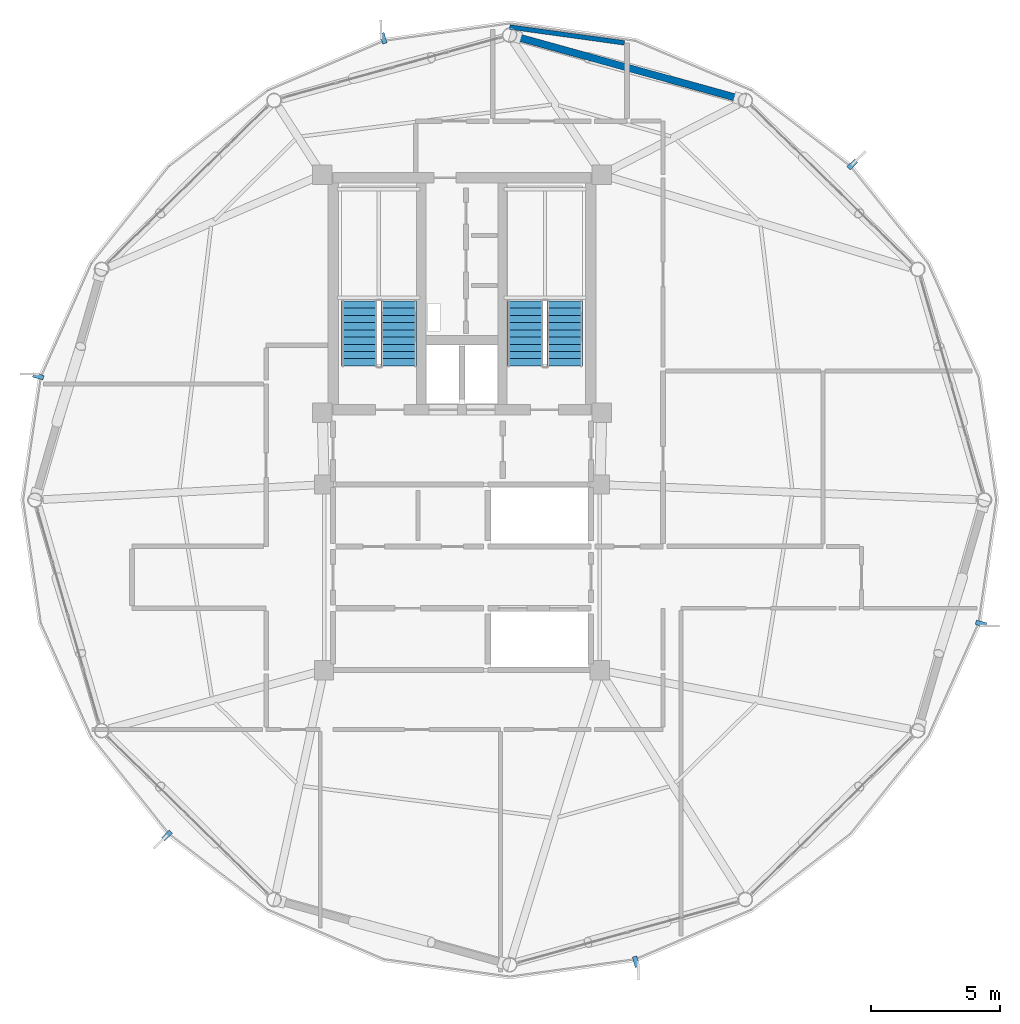
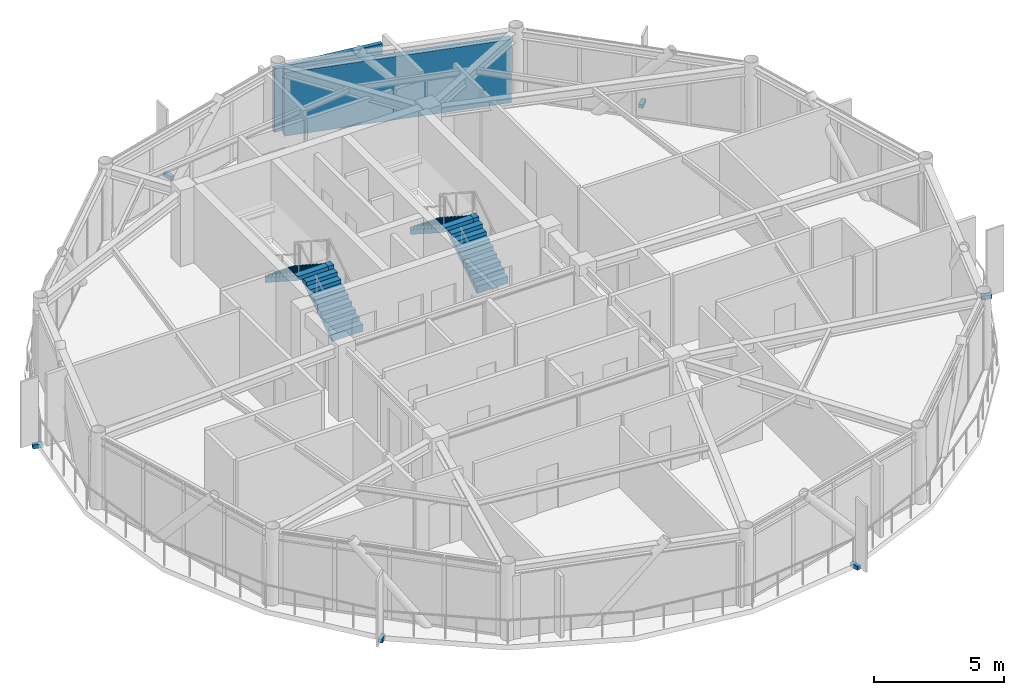
# One storey, part 22 of 25: 6 discrete accessories, 4 stair flights, 2 walls, 2 elements without a shape of their own.
"""IFC4 building model written with IfcOpenShell, lengths in metres."""

from ifc_helpers import new_model, si_unit, direction, frame, frame_2d, origin, origin_2d, place, context, subcontext, project, spatial, polyline, rectangle, outline, extrude, source, transform, mapped, material, layer, layer_set, type_object, type_shapes, element, aggregate, save


model = new_model("IFC4")

# Units and contexts
model_context = context("Model", 3, precision=1e-05, world=origin(), true_north=direction((0.0, 1.0)))
body_context = subcontext(model_context, "Body", "Model", "MODEL_VIEW")
ifc_project = project(units=[si_unit("LENGTHUNIT", "METRE"), si_unit("AREAUNIT", "SQUARE_METRE"), si_unit("VOLUMEUNIT", "CUBIC_METRE"), si_unit("PLANEANGLEUNIT", "RADIAN"), si_unit("MASSUNIT", "GRAM", prefix="KILO")], contexts=[model_context])

# Site, building, storey
site_placement = place(None, origin())
site = spatial("IfcSite", under=ifc_project, at=site_placement, CompositionType="ELEMENT")
building_placement = place(site_placement, origin())
building = spatial("IfcBuilding", under=site, at=building_placement, Name="Varnakorn Sky Granary", CompositionType="ELEMENT")
storey_placement = place(building_placement, frame((0.0, 0.0, 252.60009765625)))
storey = spatial("IfcBuildingStorey", under=building, at=storey_placement, Name="L64", CompositionType="ELEMENT", Elevation=252.60009765625)

# Walls
ifc_material_1 = material(Name="Precast concrete C40/50", Category="concrete")
ifc_layer_1 = layer(ifc_material_1, 0.280029296875, Name="Precast concrete C40/50")
ifc_layer_set_1 = layer_set([ifc_layer_1], Name="Precast concrete C40/50")
wall_type_1 = type_object("IfcWallType", Name="WT-EW-CRN-280", PredefinedType="SOLIDWALL", material=ifc_layer_set_1)
wall_1_placement = place(storey_placement, frame((5.075927734375, 17.976318359375, 0.0), z_axis=(0.0, 0.0, 1.0), x_axis=(0.963705710246, -0.266966859442, 0.0)))
element("IfcWall", 1, at=wall_1_placement, inside=storey, type_object=wall_type_1, Name="Agritech Insulated Precast Facade Wall L64-P03", PredefinedType="SOLIDWALL", context=body_context, shape_type="SweptSolid", body=[
    extrude(rectangle(XDim=9.021484375, YDim=0.280029296875, at=frame_2d((4.5107421875, 0.0))), origin(), (0.0, 0.0, 1.0), 2.969970703125),
])
ifc_material_2 = material(Name="Moisture-Resistant Gypsum on Stud", Category="gypsum")
ifc_layer_2 = layer(ifc_material_2, 0.179931640625, Name="Moisture-Resistant Gypsum on Stud")
ifc_layer_set_2 = layer_set([ifc_layer_2], Name="Moisture-Resistant Gypsum on Stud")
wall_type_2 = type_object("IfcWallType", Name="WT-PLUMB-180", PredefinedType="PLUMBINGWALL", material=ifc_layer_set_2)
wall_2_placement = place(storey_placement, frame((9.301025390625, 17.73388671875, 0.0), z_axis=(0.0, 0.0, 1.0), x_axis=(-0.99058152524, 0.136924219385, 0.0)))
element("IfcWall", 2, at=wall_2_placement, inside=storey, type_object=wall_type_2, Name="Interior Partition Wall L64-064", PredefinedType="PLUMBINGWALL", context=body_context, shape_type="SweptSolid", body=[
    extrude(rectangle(XDim=4.4931640625, YDim=0.179931640625, at=frame_2d((2.24658203125, 0.0))), origin(), (0.0, 0.0, 1.0), 2.98193359375),
])

# Stair, stair flights
ifc_material_3 = material(Name="Concrete C40/50", Category="concrete")
stair_type = type_object("IfcStairType", Name="ST-MAIN-ASSEMBLY", PredefinedType="HALF_TURN_STAIR", material=ifc_material_3)
stair_1_placement = place(storey_placement, origin())
stair_1 = element("IfcStair", 3, at=stair_1_placement, inside=storey, type_object=stair_type, Name="L64 Protected Exit Stair ST-1", PredefinedType="HALF_TURN_STAIR")
stair_flight_type = type_object("IfcStairFlightType", Name="ST-MAIN-FLIGHT", PredefinedType="STRAIGHT", material=ifc_material_3)
stair_flight_1_placement = place(storey_placement, frame((0.550048828125, 5.199951171875, 0.0), z_axis=(0.0, 0.0, 1.0), x_axis=(0.0, 1.0, 0.0)))
stair_flight_1 = element("IfcStairFlight", 4, at=stair_flight_1_placement, type_object=stair_flight_type, Name="ST-1 flight 1", NumberOfRisers=10, NumberOfTreads=9, PredefinedType="STRAIGHT", RiserHeight=0.18, TreadLength=0.28, context=body_context, shape_type="SweptSolid", body=[
    extrude(outline(polyline([(0.0, -0.14990234375), (0.0, 0.0), (0.0, 0.179931640625), (0.280029296875, 0.179931640625), (0.280029296875, 0.360107421875), (0.56005859375, 0.360107421875), (0.56005859375, 0.5400390625), (0.840087890625, 0.5400390625), (0.840087890625, 0.719970703125), (1.1201171875, 0.719970703125), (1.1201171875, 0.89990234375), (1.39990234375, 0.89990234375), (1.39990234375, 1.080078125), (1.679931640625, 1.080078125), (1.679931640625, 1.260009765625), (1.9599609375, 1.260009765625), (1.9599609375, 1.43994140625), (2.239990234375, 1.43994140625), (2.239990234375, 1.6201171875), (2.52001953125, 1.6201171875), (2.52001953125, 1.800048828125), (2.52001953125, 1.44189453125), (0.050048828125, -0.14990234375), (0.0, -0.14990234375)])), frame((0.0, 0.68994140625, 0.0), z_axis=(0.0, -1.0, 0.0), x_axis=(1.0, 0.0, 0.0)), (0.0, 0.0, 1.0), 1.3798828125),
])
stair_flight_2_placement = place(storey_placement, frame((-0.97998046875, 7.719970703125, 1.7998046875), z_axis=(0.0, 0.0, 1.0), x_axis=(0.0, -1.0, 0.0)))
stair_flight_2 = element("IfcStairFlight", 5, at=stair_flight_2_placement, type_object=stair_flight_type, Name="ST-1 flight 2", NumberOfRisers=10, NumberOfTreads=9, PredefinedType="STRAIGHT", RiserHeight=0.18, TreadLength=0.28, context=body_context, shape_type="SweptSolid", body=[
    extrude(outline(polyline([(0.0, -0.14990234375), (0.0, 0.0), (0.0, 0.179931640625), (0.280029296875, 0.179931640625), (0.280029296875, 0.360107421875), (0.56005859375, 0.360107421875), (0.56005859375, 0.5400390625), (0.840087890625, 0.5400390625), (0.840087890625, 0.719970703125), (1.1201171875, 0.719970703125), (1.1201171875, 0.89990234375), (1.39990234375, 0.89990234375), (1.39990234375, 1.080078125), (1.679931640625, 1.080078125), (1.679931640625, 1.260009765625), (1.9599609375, 1.260009765625), (1.9599609375, 1.43994140625), (2.239990234375, 1.43994140625), (2.239990234375, 1.6201171875), (2.52001953125, 1.6201171875), (2.52001953125, 1.800048828125), (2.52001953125, 1.44189453125), (0.050048828125, -0.14990234375), (0.0, -0.14990234375)])), frame((0.0, 0.68994140625, 0.0), z_axis=(0.0, -1.0, 0.0), x_axis=(1.0, 0.0, 0.0)), (0.0, 0.0, 1.0), 1.3798828125),
])
aggregate(stair_1, [stair_flight_1, stair_flight_2])

stair_2_placement = place(storey_placement, origin())
stair_2 = element("IfcStair", 6, at=stair_2_placement, inside=storey, type_object=stair_type, Name="L64 Protected Exit Stair ST-2", PredefinedType="HALF_TURN_STAIR")
stair_flight_3_placement = place(storey_placement, frame((6.989990234375, 5.199951171875, 0.0), z_axis=(0.0, 0.0, 1.0), x_axis=(0.0, 1.0, 0.0)))
stair_flight_3 = element("IfcStairFlight", 7, at=stair_flight_3_placement, type_object=stair_flight_type, Name="ST-2 flight 1", NumberOfRisers=10, NumberOfTreads=9, PredefinedType="STRAIGHT", RiserHeight=0.18, TreadLength=0.28, context=body_context, shape_type="SweptSolid", body=[
    extrude(outline(polyline([(0.0, -0.14990234375), (0.0, 0.0), (0.0, 0.179931640625), (0.280029296875, 0.179931640625), (0.280029296875, 0.360107421875), (0.56005859375, 0.360107421875), (0.56005859375, 0.5400390625), (0.840087890625, 0.5400390625), (0.840087890625, 0.719970703125), (1.1201171875, 0.719970703125), (1.1201171875, 0.89990234375), (1.39990234375, 0.89990234375), (1.39990234375, 1.080078125), (1.679931640625, 1.080078125), (1.679931640625, 1.260009765625), (1.9599609375, 1.260009765625), (1.9599609375, 1.43994140625), (2.239990234375, 1.43994140625), (2.239990234375, 1.6201171875), (2.52001953125, 1.6201171875), (2.52001953125, 1.800048828125), (2.52001953125, 1.44189453125), (0.050048828125, -0.14990234375), (0.0, -0.14990234375)])), frame((0.0, 0.68994140625, 0.0), z_axis=(0.0, -1.0, 0.0), x_axis=(1.0, 0.0, 0.0)), (0.0, 0.0, 1.0), 1.3798828125),
])
stair_flight_4_placement = place(storey_placement, frame((5.4599609375, 7.719970703125, 1.7998046875), z_axis=(0.0, 0.0, 1.0), x_axis=(0.0, -1.0, 0.0)))
stair_flight_4 = element("IfcStairFlight", 8, at=stair_flight_4_placement, type_object=stair_flight_type, Name="ST-2 flight 2", NumberOfRisers=10, NumberOfTreads=9, PredefinedType="STRAIGHT", RiserHeight=0.18, TreadLength=0.28, context=body_context, shape_type="SweptSolid", body=[
    extrude(outline(polyline([(0.0, -0.14990234375), (0.0, 0.0), (0.0, 0.179931640625), (0.280029296875, 0.179931640625), (0.280029296875, 0.360107421875), (0.56005859375, 0.360107421875), (0.56005859375, 0.5400390625), (0.840087890625, 0.5400390625), (0.840087890625, 0.719970703125), (1.1201171875, 0.719970703125), (1.1201171875, 0.89990234375), (1.39990234375, 0.89990234375), (1.39990234375, 1.080078125), (1.679931640625, 1.080078125), (1.679931640625, 1.260009765625), (1.9599609375, 1.260009765625), (1.9599609375, 1.43994140625), (2.239990234375, 1.43994140625), (2.239990234375, 1.6201171875), (2.52001953125, 1.6201171875), (2.52001953125, 1.800048828125), (2.52001953125, 1.44189453125), (0.050048828125, -0.14990234375), (0.0, -0.14990234375)])), frame((0.0, 0.68994140625, 0.0), z_axis=(0.0, -1.0, 0.0), x_axis=(1.0, 0.0, 0.0)), (0.0, 0.0, 1.0), 1.3798828125),
])
aggregate(stair_2, [stair_flight_3, stair_flight_4])

# Discrete accessories
ifc_material_4 = material(Name="Steel S355JR", Category="steel")
discrete_accessory_type = type_object("IfcDiscreteAccessoryType", Name="AC-BRK-01", PredefinedType="BRACKET", material=ifc_material_4)
shared_shape = source(origin(), body_context, "Body", "SweptSolid", [
    extrude(rectangle(XDim=0.179931640625, YDim=0.419921875, at=origin_2d()), origin(), (0.0, 0.0, 1.0), 0.179931640625),
])
type_shapes(discrete_accessory_type, [shared_shape])
for number, where, z_axis, x_axis, name in (
    (9, (18.142333984375, 13.016357421875, -0.2001953125), (0.0, 0.0, 1.0), (-0.69964792385, 0.714487776419, 0.0), "Facade Solar-Screen Outrigger Bracket L64-02"),
    (10, (-0.050537109375, 17.911865234375, -0.2001953125), (0.0, 0.0, 1.0), (-0.964551754076, -0.263893754586, 0.0), "Facade Solar-Screen Outrigger Bracket L64-04"),
    (11, (-13.43701171875, 4.799072265625, -0.2001953125), (0.0, 0.0, 1.0), (-0.253829031769, -0.96724910061, 0.0), "Facade Solar-Screen Outrigger Bracket L64-06"),
    (12, (-8.4423828125, -13.016357421875, -0.2001953125), (0.0, 0.0, 1.0), (0.69964792385, -0.714487776419, 0.0), "Facade Solar-Screen Outrigger Bracket L64-08"),
    (13, (9.75048828125, -17.911865234375, -0.2001953125), (0.0, 0.0, 1.0), (0.964551754076, 0.263893754586, 0.0), "Facade Solar-Screen Outrigger Bracket L64-10"),
    (14, (23.13720703125, -4.799072265625, -0.2001953125), (0.0, 0.0, 1.0), (0.253829031769, 0.96724910061, 0.0), "Facade Solar-Screen Outrigger Bracket L64-12"),
):
    element("IfcDiscreteAccessory", number, at=place(storey_placement, frame(where, z_axis=z_axis, x_axis=x_axis)), inside=storey, type_object=discrete_accessory_type, Name=name, PredefinedType="BRACKET", context=body_context, shape_type="MappedRepresentation", body=[
        mapped(shared_shape, transform((0.0, 0.0, 0.0), x_axis=(1.0, 0.0, 0.0), y_axis=(0.0, 1.0, 0.0), z_axis=(0.0, 0.0, 1.0), scale=1.0)),
    ])

save(model, "model.ifc")
